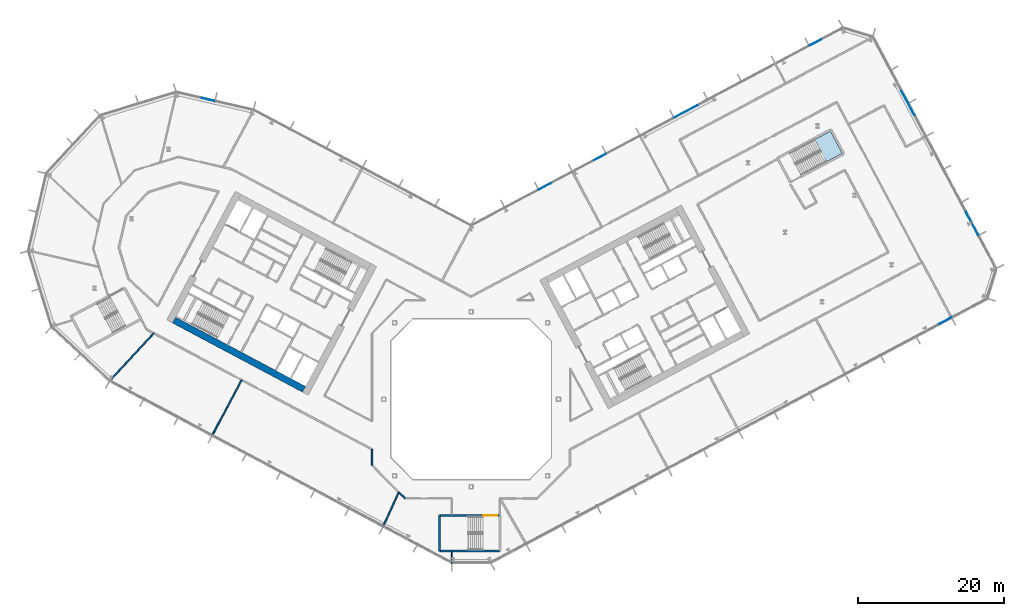
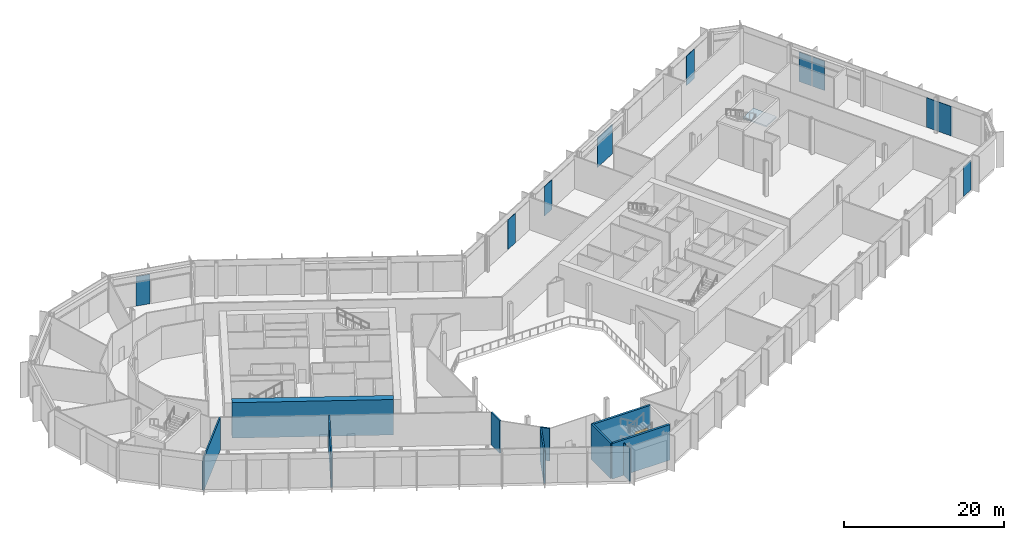
# One storey, part 11 of 30: 10 walls, 9 plates, 1 door, 1 slab, 1 opening, 5 elements without a shape of their own.
"""IFC4 building model written with IfcOpenShell, lengths in metres."""

from ifc_helpers import new_model, si_unit, direction, frame, frame_2d, origin, origin_2d, place, context, subcontext, project, spatial, polyline, rectangle, outline, extrude, material, layer, layer_set, type_object, element, fill, aggregate, save


model = new_model("IFC4")

# Units and contexts
model_context = context("Model", 3, precision=1e-05, world=origin(), true_north=direction((0.0, 1.0)))
body_context = subcontext(model_context, "Body", "Model", "MODEL_VIEW")
ifc_project = project(units=[si_unit("LENGTHUNIT", "METRE"), si_unit("AREAUNIT", "SQUARE_METRE"), si_unit("VOLUMEUNIT", "CUBIC_METRE"), si_unit("PLANEANGLEUNIT", "RADIAN"), si_unit("MASSUNIT", "GRAM", prefix="KILO")], contexts=[model_context])

# Site, building, storey
site_placement = place(None, origin())
site = spatial("IfcSite", under=ifc_project, at=site_placement, CompositionType="ELEMENT")
building_placement = place(site_placement, origin())
building = spatial("IfcBuilding", under=site, at=building_placement, Name="Cormorant Relay Tower", CompositionType="ELEMENT")
storey_placement = place(building_placement, frame((0.0, 0.0, 55.39990234375)))
storey = spatial("IfcBuildingStorey", under=building, at=storey_placement, Name="L10", CompositionType="ELEMENT", Elevation=55.39990234375)

# Curtain wall, plate
ifc_material_1 = material(Name="Aluminium 6063-T6 anodised bronze", Category="aluminium")
ifc_layer_1 = layer(ifc_material_1, 0.235107421875)
ifc_layer_set_1 = layer_set([ifc_layer_1], Name="CW6 data hall curtain wall with mineral wool panels")
curtain_wall_type = type_object("IfcCurtainWallType", Name="CW6 data hall curtain wall with mineral wool panels", PredefinedType="NOTDEFINED", material=ifc_layer_set_1)
curtain_wall_1_placement = place(storey_placement, origin())
curtain_wall_1 = element("IfcCurtainWall", 1, at=curtain_wall_1_placement, inside=storey, type_object=curtain_wall_type, Name="CW6 curtain wall 2", PredefinedType="NOTDEFINED")
ifc_material_2 = material(Name="Tinted triple-glazed laminated unit")
ifc_layer_2 = layer(ifc_material_2, 0.074951171875)
ifc_layer_set_2 = layer_set([ifc_layer_2], Name="CW6 triple-glazed vision unit 1800 module")
plate_type_1 = type_object("IfcPlateType", Name="CW6 triple-glazed vision unit 1800 module", PredefinedType="CURTAIN_PANEL", material=ifc_layer_set_2)
plate_1_placement = place(storey_placement, frame((65.072265625, 10.773193359375, 0.0), z_axis=(0.0, 0.0, 1.0), x_axis=(0.882947592859, 0.469471562786, 0.0)))
plate_1 = element("IfcPlate", 2, at=plate_1_placement, type_object=plate_type_1, Name="CW6 panel V12", PredefinedType="CURTAIN_PANEL", context=body_context, shape_type="SweptSolid", body=[
    extrude(rectangle(XDim=1.800048828125, YDim=0.074951171875, at=origin_2d()), origin(), (0.0, 0.0, 1.0), 4.5),
])
aggregate(curtain_wall_1, [plate_1])

# Curtain wall, plates
curtain_wall_2_placement = place(storey_placement, origin())
curtain_wall_2 = element("IfcCurtainWall", 3, at=curtain_wall_2_placement, inside=storey, type_object=curtain_wall_type, Name="CW6 curtain wall 4", PredefinedType="NOTDEFINED")
plate_2_placement = place(storey_placement, frame((60.44140625, 39.77001953125, 0.0), z_axis=(0.0, 0.0, 1.0), x_axis=(-0.469471562786, 0.882947592859, 0.0)))
plate_2 = element("IfcPlate", 4, at=plate_2_placement, type_object=plate_type_1, Name="CW6 panel V04", PredefinedType="CURTAIN_PANEL", context=body_context, shape_type="SweptSolid", body=[
    extrude(rectangle(XDim=1.800048828125, YDim=0.074951171875, at=origin_2d()), origin(), (0.0, 0.0, 1.0), 4.5),
])
plate_3_placement = place(storey_placement, frame((59.52587890625, 41.49169921875, 0.0), z_axis=(0.0, 0.0, 1.0), x_axis=(-0.469471562786, 0.882947592859, 0.0)))
plate_3 = element("IfcPlate", 5, at=plate_3_placement, type_object=plate_type_1, Name="CW6 panel V05", PredefinedType="CURTAIN_PANEL", context=body_context, shape_type="SweptSolid", body=[
    extrude(rectangle(XDim=1.800048828125, YDim=0.074951171875, at=origin_2d()), origin(), (0.0, 0.0, 1.0), 4.5),
])

curtain_wall_3_placement = place(storey_placement, origin())
curtain_wall_3 = element("IfcCurtainWall", 6, at=curtain_wall_3_placement, inside=storey, type_object=curtain_wall_type, Name="CW6 curtain wall 6", PredefinedType="NOTDEFINED")
plate_4_placement = place(storey_placement, frame((47.265380859375, 48.9580078125, 0.0), z_axis=(0.0, 0.0, 1.0), x_axis=(-0.882947592859, -0.469471562786, 0.0)))
plate_4 = element("IfcPlate", 7, at=plate_4_placement, type_object=plate_type_1, Name="CW6 panel V01", PredefinedType="CURTAIN_PANEL", context=body_context, shape_type="SweptSolid", body=[
    extrude(rectangle(XDim=1.800048828125, YDim=0.074951171875, at=origin_2d()), origin(), (0.0, 0.0, 1.0), 4.5),
])
plate_5_placement = place(storey_placement, frame((17.6904296875, 33.232666015625, 0.0), z_axis=(0.0, 0.0, 1.0), x_axis=(-0.882947592859, -0.469471562786, 0.0)))
plate_5 = element("IfcPlate", 8, at=plate_5_placement, type_object=plate_type_1, Name="CW6 panel V06", PredefinedType="CURTAIN_PANEL", context=body_context, shape_type="SweptSolid", body=[
    extrude(rectangle(XDim=1.800048828125, YDim=0.074951171875, at=origin_2d()), origin(), (0.0, 0.0, 1.0), 4.5),
])
plate_6_placement = place(storey_placement, frame((10.127685546875, 29.21142578125, 0.0), z_axis=(0.0, 0.0, 1.0), x_axis=(-0.882947592859, -0.469471562786, 0.0)))
plate_6 = element("IfcPlate", 9, at=plate_6_placement, type_object=plate_type_1, Name="CW6 panel V08", PredefinedType="CURTAIN_PANEL", context=body_context, shape_type="SweptSolid", body=[
    extrude(rectangle(XDim=1.800048828125, YDim=0.074951171875, at=origin_2d()), origin(), (0.0, 0.0, 1.0), 4.5),
])

# Curtain wall, plate
curtain_wall_4_placement = place(storey_placement, origin())
curtain_wall_4 = element("IfcCurtainWall", 10, at=curtain_wall_4_placement, inside=storey, type_object=curtain_wall_type, Name="CW6 curtain wall 8", PredefinedType="NOTDEFINED")
plate_7_placement = place(storey_placement, frame((-36.111083984375, 41.146484375, 0.0), z_axis=(0.0, 0.0, 1.0), x_axis=(-0.974370064785, 0.224951054344, 0.0)))
plate_7 = element("IfcPlate", 11, at=plate_7_placement, type_object=plate_type_1, Name="CW6 panel V01", PredefinedType="CURTAIN_PANEL", context=body_context, shape_type="SweptSolid", body=[
    extrude(rectangle(XDim=1.800048828125, YDim=0.074951171875, at=origin_2d()), origin(), (0.0, 0.0, 1.0), 4.5),
])
aggregate(curtain_wall_4, [plate_7])

# Plate
ifc_material_3 = material(Name="Tinted triple-glazed laminated unit")
ifc_layer_3 = layer(ifc_material_3, 0.074951171875)
ifc_layer_set_3 = layer_set([ifc_layer_3], Name="CW6 triple-glazed vision unit 3600 module")
plate_type_2 = type_object("IfcPlateType", Name="CW6 triple-glazed vision unit 3600 module", PredefinedType="CURTAIN_PANEL", material=ifc_layer_set_3)
plate_8_placement = place(storey_placement, frame((68.760986328125, 24.122802734375, 0.0), z_axis=(0.0, 0.0, 1.0), x_axis=(-0.469471562786, 0.882947592859, 0.0)))
plate_8 = element("IfcPlate", 12, at=plate_8_placement, type_object=plate_type_2, Name="CW6 panel V01", PredefinedType="CURTAIN_PANEL", context=body_context, shape_type="SweptSolid", body=[
    extrude(rectangle(XDim=3.60009765625, YDim=0.074951171875, at=origin_2d()), origin(), (0.0, 0.0, 1.0), 4.5),
])

aggregate(curtain_wall_2, [plate_8, plate_2, plate_3])

plate_9_placement = place(storey_placement, frame((29.4912109375, 39.507080078125, 0.0), z_axis=(0.0, 0.0, 1.0), x_axis=(-0.882947592859, -0.469471562786, 0.0)))
plate_9 = element("IfcPlate", 13, at=plate_9_placement, type_object=plate_type_2, Name="CW6 panel V04", PredefinedType="CURTAIN_PANEL", context=body_context, shape_type="SweptSolid", body=[
    extrude(rectangle(XDim=3.60009765625, YDim=0.074951171875, at=origin_2d()), origin(), (0.0, 0.0, 1.0), 4.5),
])

aggregate(curtain_wall_3, [plate_4, plate_9, plate_5, plate_6])

# Stair, slab
ifc_material_4 = material(Name="Concrete 40 MPa", Category="concrete")
stair_type = type_object("IfcStairType", Name="Exit stair 1500", PredefinedType="HALF_TURN_STAIR", material=ifc_material_4)
stair_placement = place(storey_placement, origin())
stair = element("IfcStair", 14, at=stair_placement, inside=storey, type_object=stair_type, Name="L10 Stair", PredefinedType="HALF_TURN_STAIR")
ifc_material_5 = material(Name="Concrete 40 MPa", Category="concrete")
ifc_layer_4 = layer(ifc_material_5, 0.199951171875)
ifc_layer_set_4 = layer_set([ifc_layer_4], Name="Exit stair landing 200")
slab_type = type_object("IfcSlabType", Name="Exit stair landing 200", PredefinedType="LANDING", material=ifc_layer_set_4)
slab_placement = place(storey_placement, frame((0.0, 0.0, 2.5)))
slab = element("IfcSlab", 15, at=slab_placement, type_object=slab_type, Name="RB1 landing 1", PredefinedType="LANDING", context=body_context, shape_type="SweptSolid", body=[
    extrude(outline(polyline([(48.796142578125, 32.614013671875), (50.941650390625, 33.7548828125), (49.322021484375, 36.801025390625), (47.17626953125, 35.66015625), (48.796142578125, 32.614013671875)])), origin(), (0.0, 0.0, 1.0), 0.2001953125),
])
aggregate(stair, [slab])

# Walls
ifc_material_6 = material(Name="Concrete 70 MPa", Category="concrete")
ifc_layer_5 = layer(ifc_material_6, 0.89990234375)
ifc_layer_set_5 = layer_set([ifc_layer_5], Name="Core wall 900")
wall_type_1 = type_object("IfcWallType", Name="Core wall 900", PredefinedType="SHEAR", material=ifc_layer_set_5)
wall_1_placement = place(storey_placement, frame((-22.93701171875, 1.3798828125, 0.0), z_axis=(0.0, 0.0, 1.0), x_axis=(-0.88295276571, 0.46946183394, 0.0)))
element("IfcWall", 16, at=wall_1_placement, inside=storey, type_object=wall_type_1, Name="L10 core A wall", PredefinedType="SHEAR", context=body_context, shape_type="SweptSolid", body=[
    extrude(rectangle(XDim=20.199951171875, YDim=0.89990234375, at=frame_2d((10.10009765625, 0.0))), origin(), (0.0, 0.0, 1.0), 5.400146484375),
])
ifc_material_7 = material(Name="Fire-rated gypsum board partition")
ifc_layer_6 = layer(ifc_material_7, 0.199951171875)
ifc_layer_set_6 = layer_set([ifc_layer_6], Name="Fire-rated gypsum partition 200")
wall_type_2 = type_object("IfcWallType", Name="Fire-rated gypsum partition 200", PredefinedType="PARTITIONING", material=ifc_layer_set_6)
wall_2_placement = place(storey_placement, frame((-49.73291015625, 2.43310546875, 0.0), z_axis=(0.0, 0.0, 1.0), x_axis=(0.682002261255, 0.731350063679, 0.0)))
element("IfcWall", 17, at=wall_2_placement, inside=storey, type_object=wall_type_2, Name="wall/L10/part/10", PredefinedType="PARTITIONING", context=body_context, shape_type="SweptSolid", body=[
    extrude(rectangle(XDim=9.05859375, YDim=0.199951171875, at=frame_2d((4.529296875, 0.0))), origin(), (0.0, 0.0, 1.0), 4.9501953125),
])
wall_3_placement = place(storey_placement, frame((-31.4951171875, 2.64599609375, 0.0), z_axis=(0.0, 0.0, 1.0), x_axis=(-0.469461194384, -0.882953105758, 0.0)))
element("IfcWall", 18, at=wall_3_placement, inside=storey, type_object=wall_type_2, Name="wall/L10/part/11", PredefinedType="PARTITIONING", context=body_context, shape_type="SweptSolid", body=[
    extrude(rectangle(XDim=8.750244140625, YDim=0.199951171875, at=frame_2d((4.375, 0.0))), origin(), (0.0, 0.0, 1.0), 4.9501953125),
])
wall_4_placement = place(storey_placement, frame((-13.60009765625, -9.076904296875, 0.0), z_axis=(0.0, 0.0, 1.0), x_axis=(0.0, 1.0, 0.0)))
element("IfcWall", 19, at=wall_4_placement, inside=storey, type_object=wall_type_2, Name="wall/L10/part/40", PredefinedType="PARTITIONING", context=body_context, shape_type="SweptSolid", body=[
    extrude(rectangle(XDim=2.19189453125, YDim=0.199951171875, at=frame_2d((1.095947265625, 0.0))), origin(), (0.0, 0.0, 1.0), 4.9501953125),
])
wall_5_placement = place(storey_placement, frame((-9.91796875, -12.759033203125, 0.0), z_axis=(0.0, 0.0, 1.0), x_axis=(-0.41878582264, -0.908085037183, 0.0)))
element("IfcWall", 20, at=wall_5_placement, inside=storey, type_object=wall_type_2, Name="wall/L10/part/43", PredefinedType="PARTITIONING", context=body_context, shape_type="SweptSolid", body=[
    extrude(rectangle(XDim=5.286865234375, YDim=0.199951171875, at=frame_2d((2.6435546875, 0.0))), origin(), (0.0, 0.0, 1.0), 4.9501953125),
])
wall_6_placement = place(storey_placement, frame((-9.076904296875, -13.60009765625, 0.0), z_axis=(0.0, 0.0, 1.0), x_axis=(-0.707106781187, 0.707106781187, 0.0)))
element("IfcWall", 21, at=wall_6_placement, inside=storey, type_object=wall_type_2, Name="wall/L10/part/45", PredefinedType="PARTITIONING", context=body_context, shape_type="SweptSolid", body=[
    extrude(rectangle(XDim=1.189453125, YDim=0.199951171875, at=frame_2d((0.5947265625, 0.0))), origin(), (0.0, 0.0, 1.0), 4.9501953125),
])
ifc_material_8 = material(Name="Gypsum board partition")
ifc_layer_7 = layer(ifc_material_8, 0.14990234375)
ifc_layer_set_7 = layer_set([ifc_layer_7], Name="Gypsum board partition 150")
wall_type_3 = type_object("IfcWallType", Name="Gypsum board partition 150", PredefinedType="PARTITIONING", material=ifc_layer_set_7)
wall_7_placement = place(storey_placement, frame((-2.64892578125, -20.9599609375, 0.0), z_axis=(0.0, 0.0, 1.0), x_axis=(0.0, -1.0, 0.0)))
element("IfcWall", 22, at=wall_7_placement, inside=storey, type_object=wall_type_3, Name="wall/L10/part/50", PredefinedType="PARTITIONING", context=body_context, shape_type="SweptSolid", body=[
    extrude(rectangle(XDim=1.6220703125, YDim=0.14990234375, at=frame_2d((0.81103515625, 0.0))), origin(), (0.0, 0.0, 1.0), 4.9501953125),
])
ifc_material_9 = material(Name="Concrete 50 MPa", Category="concrete")
ifc_layer_8 = layer(ifc_material_9, 0.300048828125)
ifc_layer_set_8 = layer_set([ifc_layer_8], Name="Remote stair wall 300")
wall_type_4 = type_object("IfcWallType", Name="Remote stair wall 300", PredefinedType="SHEAR", material=ifc_layer_set_8)
wall_8_placement = place(storey_placement, frame((3.949951171875, -20.824951171875, 0.0), z_axis=(0.0, 0.0, 1.0), x_axis=(-1.0, 0.0, 0.0)))
element("IfcWall", 23, at=wall_8_placement, inside=storey, type_object=wall_type_4, Name="L10 exit stair RK1 wall", PredefinedType="SHEAR", context=body_context, shape_type="SweptSolid", body=[
    extrude(rectangle(XDim=8.300048828125, YDim=0.300048828125, at=frame_2d((4.14990234375, 0.0))), origin(), (0.0, 0.0, 1.0), 5.400146484375),
])
wall_9_placement = place(storey_placement, frame((-4.35009765625, -20.824951171875, 0.0), z_axis=(0.0, 0.0, 1.0), x_axis=(0.0, 1.0, 0.0)))
element("IfcWall", 24, at=wall_9_placement, inside=storey, type_object=wall_type_4, Name="L10 exit stair RK1 wall", PredefinedType="SHEAR", context=body_context, shape_type="SweptSolid", body=[
    extrude(rectangle(XDim=4.849853515625, YDim=0.300048828125, at=frame_2d((2.4248046875, 0.0))), origin(), (0.0, 0.0, 1.0), 5.400146484375),
])

# Wall, opening, door
wall_10_placement = place(storey_placement, frame((-4.35009765625, -15.97509765625, 0.0), z_axis=(0.0, 0.0, 1.0), x_axis=(1.0, 0.0, 0.0)))
wall_10 = element("IfcWall", 25, at=wall_10_placement, inside=storey, type_object=wall_type_4, Name="L10 exit stair RK1 wall", PredefinedType="SHEAR", context=body_context, shape_type="SweptSolid", body=[
    extrude(rectangle(XDim=8.300048828125, YDim=0.300048828125, at=frame_2d((4.14990234375, 0.0))), origin(), (0.0, 0.0, 1.0), 5.400146484375),
])
opening_placement = place(wall_10_placement, frame((6.050048828125, 0.0, 0.0)))
opening = element("IfcOpeningElement", 26, at=opening_placement, cuts=wall_10, Name="Opening CDE-006", PredefinedType="OPENING", context=body_context, shape_type="SweptSolid", body=[
    extrude(rectangle(XDim=1.89990234375, YDim=2.10009765625, at=frame_2d((0.949951171875, 1.050048828125))), frame((0.0, 0.159912109375, 0.0), z_axis=(0.0, -1.0, 0.0), x_axis=(1.0, 0.0, 0.0)), (0.0, 0.0, 1.0), 0.320068359375),
])
ifc_material_10 = material(Name="Steel fire door", Category="steel")
door_type = type_object("IfcDoorType", Name="Remote stair door 1900x2100", OperationType="DOUBLE_DOOR_SINGLE_SWING", PredefinedType="DOOR", material=ifc_material_10)
door_placement = place(opening_placement, frame((1.89990234375, 0.0, 0.0), z_axis=(0.0, 0.0, 1.0), x_axis=(-1.0, 0.0, 0.0)))
door = element("IfcDoor", 27, at=door_placement, inside=storey, type_object=door_type, Name="Exit stair RK1 door", OperationType="DOUBLE_DOOR_SINGLE_SWING", OverallHeight=2.10009765625, OverallWidth=1.89990234375, PredefinedType="DOOR", context=body_context, shape_type="SweptSolid", body=[
    extrude(rectangle(XDim=1.89990234375, YDim=2.10009765625, at=frame_2d((0.949951171875, 1.050048828125))), frame((0.0, 0.02490234375, 0.0), z_axis=(0.0, -1.0, 0.0), x_axis=(1.0, 0.0, 0.0)), (0.0, 0.0, 1.0), 0.050048828125),
])
fill(opening, door)

save(model, "model.ifc")
